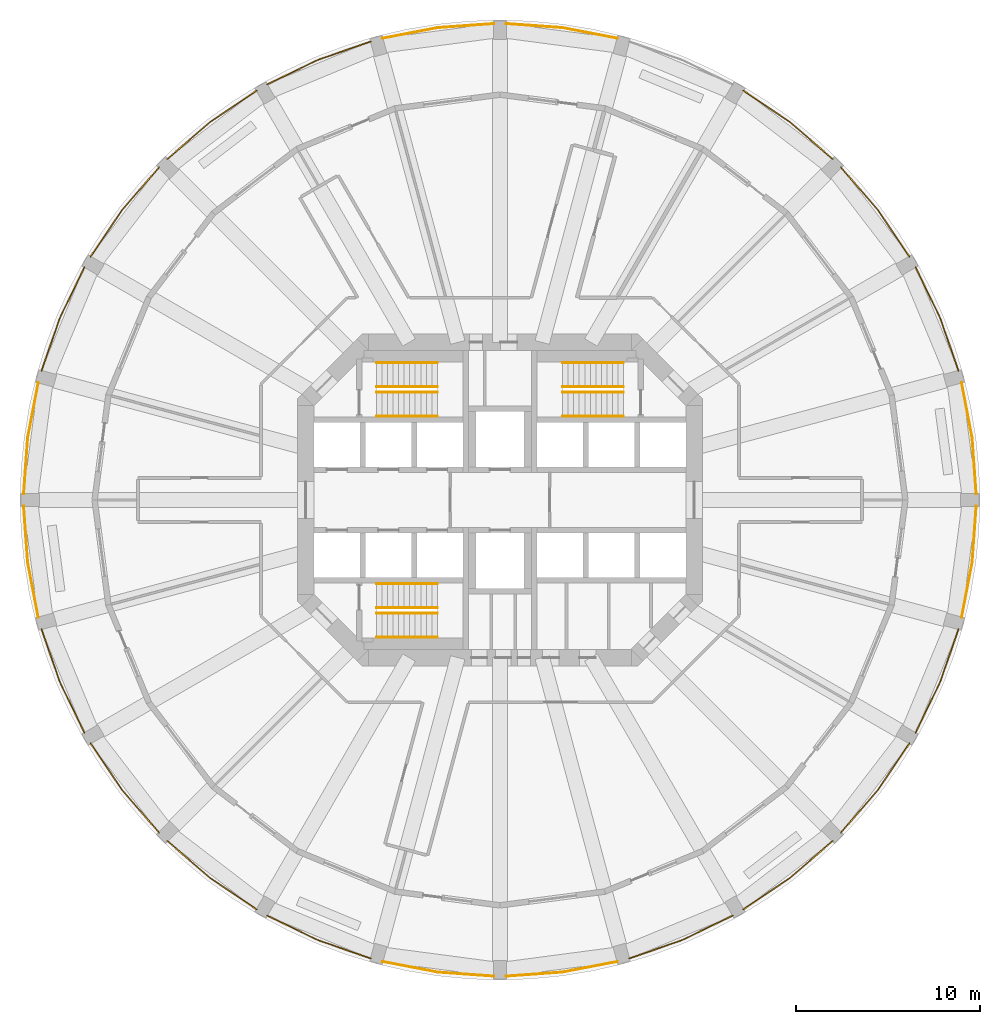
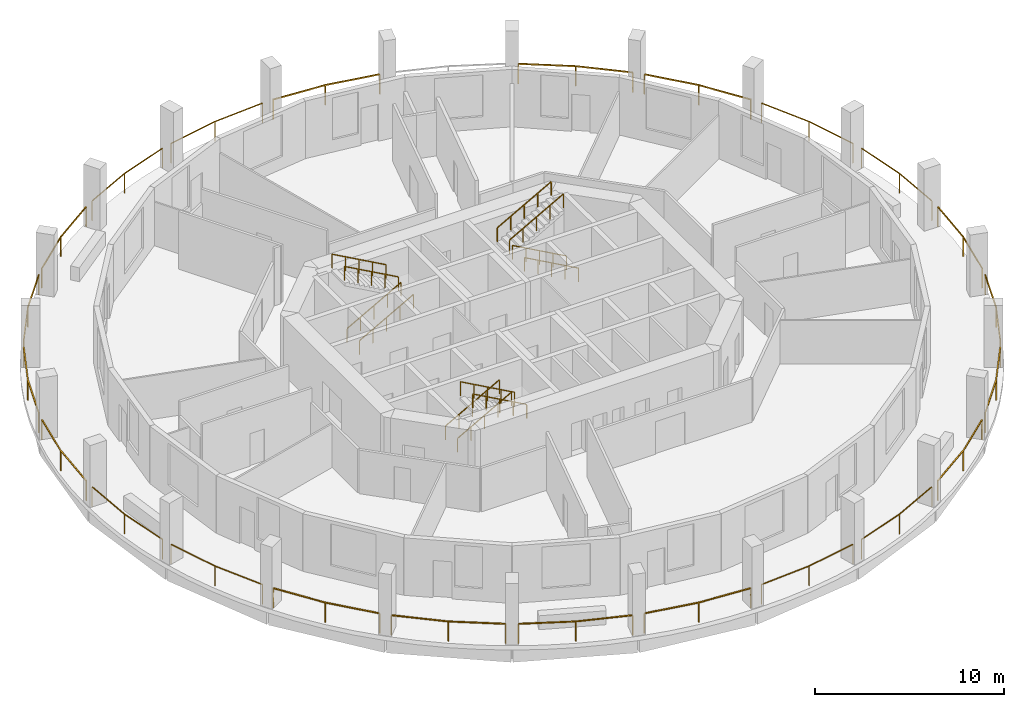
# One storey, part 8 of 9: 35 railings.
"""IFC4 building model written with IfcOpenShell, lengths in metres."""

from ifc_helpers import new_model, si_unit, direction, frame, origin, origin_2d, place, context, subcontext, project, spatial, rectangle, extrude, material, type_object, element, save


model = new_model("IFC4")

# Units and contexts
model_context = context("Model", 3, precision=1e-05, world=origin(), true_north=direction((0.0, 1.0)))
body_context = subcontext(model_context, "Body", "Model", "MODEL_VIEW")
ifc_project = project(units=[si_unit("LENGTHUNIT", "METRE"), si_unit("AREAUNIT", "SQUARE_METRE"), si_unit("VOLUMEUNIT", "CUBIC_METRE"), si_unit("PLANEANGLEUNIT", "RADIAN"), si_unit("MASSUNIT", "GRAM", prefix="KILO")], contexts=[model_context])

# Site, building, storey
site_placement = place(None, origin())
site = spatial("IfcSite", under=ifc_project, at=site_placement, CompositionType="ELEMENT")
building_placement = place(site_placement, origin())
building = spatial("IfcBuilding", under=site, at=building_placement, Name="Torre Triforio", CompositionType="ELEMENT")
storey_placement = place(building_placement, frame((0.0, 0.0, 106.60009765625)))
storey = spatial("IfcBuildingStorey", under=building, at=storey_placement, Name="L23", CompositionType="ELEMENT", Elevation=106.60009765625)

# Railings
ifc_material = material(Name="Stainless steel AISI 316", Category="steel")
railing_type_1 = type_object("IfcRailingType", Name="HANDRAIL 920", PredefinedType="HANDRAIL", material=ifc_material)
for number, where, name in (
    (1, (-6.699951171875, 4.550048828125, 0.16650390625), "Handrail ST1"),
    (2, (-6.699951171875, 5.85009765625, 0.16650390625), "Handrail ST1"),
):
    element("IfcRailing", number, at=place(storey_placement, frame(where)), inside=storey, type_object=railing_type_1, Name=name, PredefinedType="HANDRAIL", context=body_context, shape_type="SweptSolid", body=[
        extrude(rectangle(XDim=0.048095703125, YDim=0.048095703125, at=origin_2d()), frame((0.0, 0.0, 0.89599609375), z_axis=(0.874142023373, 0.0, 0.48567038511), x_axis=(0.0, 1.0, 0.0)), (0.0, 0.0, 1.0), 3.775146484375),
        extrude(rectangle(XDim=0.0419921875, YDim=0.0419921875, at=origin_2d()), origin(), (0.0, 0.0, 1.0), 0.871826171875),
        extrude(rectangle(XDim=0.0419921875, YDim=0.0419921875, at=origin_2d()), frame((0.824951171875, 0.0, 0.45849609375)), (0.0, 0.0, 1.0), 0.871826171875),
        extrude(rectangle(XDim=0.0419921875, YDim=0.0419921875, at=origin_2d()), frame((1.64990234375, 0.0, 0.916748046875)), (0.0, 0.0, 1.0), 0.871826171875),
        extrude(rectangle(XDim=0.0419921875, YDim=0.0419921875, at=origin_2d()), frame((2.47509765625, 0.0, 1.375)), (0.0, 0.0, 1.0), 0.871826171875),
        extrude(rectangle(XDim=0.0419921875, YDim=0.0419921875, at=origin_2d()), frame((3.300048828125, 0.0, 1.83349609375)), (0.0, 0.0, 1.0), 0.871826171875),
    ])
for number, where, name in (
    (3, (-3.39990234375, 7.449951171875, 2.16650390625), "Handrail ST1"),
    (4, (-3.39990234375, 6.14990234375, 2.16650390625), "Handrail ST1"),
    (5, (6.699951171875, 4.550048828125, 0.16650390625), "Handrail ST2"),
    (6, (6.699951171875, 5.85009765625, 0.16650390625), "Handrail ST2"),
):
    element("IfcRailing", number, at=place(storey_placement, frame(where)), inside=storey, type_object=railing_type_1, Name=name, PredefinedType="HANDRAIL", context=body_context, shape_type="SweptSolid", body=[
        extrude(rectangle(XDim=0.048095703125, YDim=0.048095703125, at=origin_2d()), frame((0.0, 0.0, 0.89599609375), z_axis=(-0.874142023373, 0.0, 0.48567038511), x_axis=(0.0, -1.0, 0.0)), (0.0, 0.0, 1.0), 3.775146484375),
        extrude(rectangle(XDim=0.0419921875, YDim=0.0419921875, at=origin_2d()), origin(), (0.0, 0.0, 1.0), 0.871826171875),
        extrude(rectangle(XDim=0.0419921875, YDim=0.0419921875, at=origin_2d()), frame((-0.824951171875, 0.0, 0.45849609375)), (0.0, 0.0, 1.0), 0.871826171875),
        extrude(rectangle(XDim=0.0419921875, YDim=0.0419921875, at=origin_2d()), frame((-1.64990234375, 0.0, 0.916748046875)), (0.0, 0.0, 1.0), 0.871826171875),
        extrude(rectangle(XDim=0.0419921875, YDim=0.0419921875, at=origin_2d()), frame((-2.47509765625, 0.0, 1.375)), (0.0, 0.0, 1.0), 0.871826171875),
        extrude(rectangle(XDim=0.0419921875, YDim=0.0419921875, at=origin_2d()), frame((-3.300048828125, 0.0, 1.83349609375)), (0.0, 0.0, 1.0), 0.871826171875),
    ])
for number, where, name in (
    (7, (3.39990234375, 7.449951171875, 2.16650390625), "Handrail ST2"),
    (8, (3.39990234375, 6.14990234375, 2.16650390625), "Handrail ST2"),
    (9, (-6.699951171875, -4.550048828125, 0.16650390625), "Handrail ST3"),
    (10, (-6.699951171875, -5.85009765625, 0.16650390625), "Handrail ST3"),
):
    element("IfcRailing", number, at=place(storey_placement, frame(where)), inside=storey, type_object=railing_type_1, Name=name, PredefinedType="HANDRAIL", context=body_context, shape_type="SweptSolid", body=[
        extrude(rectangle(XDim=0.048095703125, YDim=0.048095703125, at=origin_2d()), frame((0.0, 0.0, 0.89599609375), z_axis=(0.874142023373, 0.0, 0.48567038511), x_axis=(0.0, 1.0, 0.0)), (0.0, 0.0, 1.0), 3.775146484375),
        extrude(rectangle(XDim=0.0419921875, YDim=0.0419921875, at=origin_2d()), origin(), (0.0, 0.0, 1.0), 0.871826171875),
        extrude(rectangle(XDim=0.0419921875, YDim=0.0419921875, at=origin_2d()), frame((0.824951171875, 0.0, 0.45849609375)), (0.0, 0.0, 1.0), 0.871826171875),
        extrude(rectangle(XDim=0.0419921875, YDim=0.0419921875, at=origin_2d()), frame((1.64990234375, 0.0, 0.916748046875)), (0.0, 0.0, 1.0), 0.871826171875),
        extrude(rectangle(XDim=0.0419921875, YDim=0.0419921875, at=origin_2d()), frame((2.47509765625, 0.0, 1.375)), (0.0, 0.0, 1.0), 0.871826171875),
        extrude(rectangle(XDim=0.0419921875, YDim=0.0419921875, at=origin_2d()), frame((3.300048828125, 0.0, 1.83349609375)), (0.0, 0.0, 1.0), 0.871826171875),
    ])
for number, where, name in (
    (11, (-3.39990234375, -7.449951171875, 2.16650390625), "Handrail ST3"),
    (12, (-3.39990234375, -6.14990234375, 2.16650390625), "Handrail ST3"),
):
    element("IfcRailing", number, at=place(storey_placement, frame(where)), inside=storey, type_object=railing_type_1, Name=name, PredefinedType="HANDRAIL", context=body_context, shape_type="SweptSolid", body=[
        extrude(rectangle(XDim=0.048095703125, YDim=0.048095703125, at=origin_2d()), frame((0.0, 0.0, 0.89599609375), z_axis=(-0.874142023373, 0.0, 0.48567038511), x_axis=(0.0, -1.0, 0.0)), (0.0, 0.0, 1.0), 3.775146484375),
        extrude(rectangle(XDim=0.0419921875, YDim=0.0419921875, at=origin_2d()), origin(), (0.0, 0.0, 1.0), 0.871826171875),
        extrude(rectangle(XDim=0.0419921875, YDim=0.0419921875, at=origin_2d()), frame((-0.824951171875, 0.0, 0.45849609375)), (0.0, 0.0, 1.0), 0.871826171875),
        extrude(rectangle(XDim=0.0419921875, YDim=0.0419921875, at=origin_2d()), frame((-1.64990234375, 0.0, 0.916748046875)), (0.0, 0.0, 1.0), 0.871826171875),
        extrude(rectangle(XDim=0.0419921875, YDim=0.0419921875, at=origin_2d()), frame((-2.47509765625, 0.0, 1.375)), (0.0, 0.0, 1.0), 0.871826171875),
        extrude(rectangle(XDim=0.0419921875, YDim=0.0419921875, at=origin_2d()), frame((-3.300048828125, 0.0, 1.83349609375)), (0.0, 0.0, 1.0), 0.871826171875),
    ])
railing_type_2 = type_object("IfcRailingType", Name="Loggia guard 1300", PredefinedType="GUARDRAIL", material=ifc_material)
railing_1_placement = place(storey_placement, frame((25.85009765625, 0.320068359375, 0.0)))
element("IfcRailing", 13, at=railing_1_placement, inside=storey, type_object=railing_type_2, Name="Loggia guard L23 bay 01", PredefinedType="GUARDRAIL", context=body_context, shape_type="SweptSolid", body=[
    extrude(rectangle(XDim=0.050048828125, YDim=0.050048828125, at=origin_2d()), frame((0.0, 0.0, 1.27490234375), z_axis=(-0.072238625319, 0.997387377608, 0.0), x_axis=(-0.997387377608, -0.072238625319, 0.0)), (0.0, 0.0, 1.0), 3.06201171875),
    extrude(rectangle(XDim=0.050048828125, YDim=0.050048828125, at=origin_2d()), frame((-0.22119140625, 3.053955078125, 1.27490234375), z_axis=(-0.188397892972, 0.982092782747, 0.0), x_axis=(-0.982092782747, -0.188397892972, 0.0)), (0.0, 0.0, 1.0), 3.062255859375),
    extrude(rectangle(XDim=0.0400390625, YDim=0.0400390625, at=origin_2d()), origin(), (0.0, 0.0, 1.0), 1.25),
    extrude(rectangle(XDim=0.0400390625, YDim=0.0400390625, at=origin_2d()), frame((-0.22119140625, 3.053955078125, 0.0)), (0.0, 0.0, 1.0), 1.25),
    extrude(rectangle(XDim=0.0400390625, YDim=0.0400390625, at=origin_2d()), frame((-0.798095703125, 6.061279296875, 0.0)), (0.0, 0.0, 1.0), 1.25),
])
railing_2_placement = place(storey_placement, frame((24.886474609375, 6.99951171875, 0.0)))
element("IfcRailing", 14, at=railing_2_placement, inside=storey, type_object=railing_type_2, Name="Loggia guard L23 bay 02", PredefinedType="GUARDRAIL", context=body_context, shape_type="SweptSolid", body=[
    extrude(rectangle(XDim=0.050048828125, YDim=0.050048828125, at=origin_2d()), frame((0.0, 0.0, 1.27490234375), z_axis=(-0.327923737665, 0.944704198295, 0.0), x_axis=(-0.944704198295, -0.327923737665, 0.0)), (0.0, 0.0, 1.0), 3.062255859375),
    extrude(rectangle(XDim=0.050048828125, YDim=0.050048828125, at=origin_2d()), frame((-1.004150390625, 2.892822265625, 1.27490234375), z_axis=(-0.436113094806, 0.899891864914, 0.0), x_axis=(-0.899891864914, -0.436113094806, 0.0)), (0.0, 0.0, 1.0), 3.062255859375),
    extrude(rectangle(XDim=0.0400390625, YDim=0.0400390625, at=origin_2d()), origin(), (0.0, 0.0, 1.0), 1.25),
    extrude(rectangle(XDim=0.0400390625, YDim=0.0400390625, at=origin_2d()), frame((-1.004150390625, 2.892822265625, 0.0)), (0.0, 0.0, 1.0), 1.25),
    extrude(rectangle(XDim=0.0400390625, YDim=0.0400390625, at=origin_2d()), frame((-2.339599609375, 5.6484375, 0.0)), (0.0, 0.0, 1.0), 1.25),
])
railing_3_placement = place(storey_placement, frame((22.226806640625, 13.2021484375, 0.0)))
element("IfcRailing", 15, at=railing_3_placement, inside=storey, type_object=railing_type_2, Name="Loggia guard L23 bay 03", PredefinedType="GUARDRAIL", context=body_context, shape_type="SweptSolid", body=[
    extrude(rectangle(XDim=0.050048828125, YDim=0.050048828125, at=origin_2d()), frame((0.0, 0.0, 1.27490234375), z_axis=(-0.561214776852, 0.827670208624, 0.0), x_axis=(-0.827670208624, -0.561214776852, 0.0)), (0.0, 0.0, 1.0), 3.06201171875),
    extrude(rectangle(XDim=0.050048828125, YDim=0.050048828125, at=origin_2d()), frame((-1.718505859375, 2.534423828125, 1.27490234375), z_axis=(-0.654238218872, 0.75628853817, 0.0), x_axis=(-0.75628853817, -0.654238218872, 0.0)), (0.0, 0.0, 1.0), 3.062255859375),
    extrude(rectangle(XDim=0.0400390625, YDim=0.0400390625, at=origin_2d()), origin(), (0.0, 0.0, 1.0), 1.25),
    extrude(rectangle(XDim=0.0400390625, YDim=0.0400390625, at=origin_2d()), frame((-1.718505859375, 2.534423828125, 0.0)), (0.0, 0.0, 1.0), 1.25),
    extrude(rectangle(XDim=0.0400390625, YDim=0.0400390625, at=origin_2d()), frame((-3.721923828125, 4.850341796875, 0.0)), (0.0, 0.0, 1.0), 1.25),
])
railing_4_placement = place(storey_placement, frame((18.052490234375, 18.5048828125, 0.0)))
element("IfcRailing", 16, at=railing_4_placement, inside=storey, type_object=railing_type_2, Name="Loggia guard L23 bay 04", PredefinedType="GUARDRAIL", context=body_context, shape_type="SweptSolid", body=[
    extrude(rectangle(XDim=0.050048828125, YDim=0.050048828125, at=origin_2d()), frame((0.0, 0.0, 1.27490234375), z_axis=(-0.75628853817, 0.654238218872, 0.0), x_axis=(-0.654238218872, -0.75628853817, 0.0)), (0.0, 0.0, 1.0), 3.062255859375),
    extrude(rectangle(XDim=0.050048828125, YDim=0.050048828125, at=origin_2d()), frame((-2.31591796875, 2.00341796875, 1.27490234375), z_axis=(-0.827670208624, 0.561214776852, 0.0), x_axis=(-0.561214776852, -0.827670208624, 0.0)), (0.0, 0.0, 1.0), 3.06201171875),
    extrude(rectangle(XDim=0.0400390625, YDim=0.0400390625, at=origin_2d()), origin(), (0.0, 0.0, 1.0), 1.25),
    extrude(rectangle(XDim=0.0400390625, YDim=0.0400390625, at=origin_2d()), frame((-2.31591796875, 2.00341796875, 0.0)), (0.0, 0.0, 1.0), 1.25),
    extrude(rectangle(XDim=0.0400390625, YDim=0.0400390625, at=origin_2d()), frame((-4.850341796875, 3.721923828125, 0.0)), (0.0, 0.0, 1.0), 1.25),
])
railing_5_placement = place(storey_placement, frame((6.38134765625, 25.052001953125, 0.0)))
element("IfcRailing", 17, at=railing_5_placement, inside=storey, type_object=railing_type_2, Name="Loggia guard L23 bay 06", PredefinedType="GUARDRAIL", context=body_context, shape_type="SweptSolid", body=[
    extrude(rectangle(XDim=0.050048828125, YDim=0.050048828125, at=origin_2d()), frame((0.0, 0.0, 1.27490234375), z_axis=(-0.982092782747, 0.188397892972, 0.0), x_axis=(-0.188397892972, -0.982092782747, 0.0)), (0.0, 0.0, 1.0), 3.062255859375),
    extrude(rectangle(XDim=0.050048828125, YDim=0.050048828125, at=origin_2d()), frame((-3.00732421875, 0.576904296875, 1.27490234375), z_axis=(-0.997387377608, 0.072238625319, 0.0), x_axis=(-0.072238625319, -0.997387377608, 0.0)), (0.0, 0.0, 1.0), 3.06201171875),
    extrude(rectangle(XDim=0.0400390625, YDim=0.0400390625, at=origin_2d()), origin(), (0.0, 0.0, 1.0), 1.25),
    extrude(rectangle(XDim=0.0400390625, YDim=0.0400390625, at=origin_2d()), frame((-3.00732421875, 0.576904296875, 0.0)), (0.0, 0.0, 1.0), 1.25),
    extrude(rectangle(XDim=0.0400390625, YDim=0.0400390625, at=origin_2d()), frame((-6.061279296875, 0.798095703125, 0.0)), (0.0, 0.0, 1.0), 1.25),
])
railing_6_placement = place(storey_placement, frame((-0.320068359375, 25.85009765625, 0.0)))
element("IfcRailing", 18, at=railing_6_placement, inside=storey, type_object=railing_type_2, Name="Loggia guard L23 bay 07", PredefinedType="GUARDRAIL", context=body_context, shape_type="SweptSolid", body=[
    extrude(rectangle(XDim=0.050048828125, YDim=0.050048828125, at=origin_2d()), frame((0.0, 0.0, 1.27490234375), z_axis=(-0.997387377608, -0.072238625319, 0.0), x_axis=(0.072238625319, -0.997387377608, 0.0)), (0.0, 0.0, 1.0), 3.06201171875),
    extrude(rectangle(XDim=0.050048828125, YDim=0.050048828125, at=origin_2d()), frame((-3.053955078125, -0.22119140625, 1.27490234375), z_axis=(-0.982092782747, -0.188397892972, 0.0), x_axis=(0.188397892972, -0.982092782747, 0.0)), (0.0, 0.0, 1.0), 3.062255859375),
    extrude(rectangle(XDim=0.0400390625, YDim=0.0400390625, at=origin_2d()), origin(), (0.0, 0.0, 1.0), 1.25),
    extrude(rectangle(XDim=0.0400390625, YDim=0.0400390625, at=origin_2d()), frame((-3.053955078125, -0.22119140625, 0.0)), (0.0, 0.0, 1.0), 1.25),
    extrude(rectangle(XDim=0.0400390625, YDim=0.0400390625, at=origin_2d()), frame((-6.061279296875, -0.798095703125, 0.0)), (0.0, 0.0, 1.0), 1.25),
])
railing_7_placement = place(storey_placement, frame((-6.99951171875, 24.886474609375, 0.0)))
element("IfcRailing", 19, at=railing_7_placement, inside=storey, type_object=railing_type_2, Name="Loggia guard L23 bay 08", PredefinedType="GUARDRAIL", context=body_context, shape_type="SweptSolid", body=[
    extrude(rectangle(XDim=0.050048828125, YDim=0.050048828125, at=origin_2d()), frame((0.0, 0.0, 1.27490234375), z_axis=(-0.944704198295, -0.327923737665, 0.0), x_axis=(0.327923737665, -0.944704198295, 0.0)), (0.0, 0.0, 1.0), 3.062255859375),
    extrude(rectangle(XDim=0.050048828125, YDim=0.050048828125, at=origin_2d()), frame((-2.892822265625, -1.004150390625, 1.27490234375), z_axis=(-0.899891864914, -0.436113094806, 0.0), x_axis=(0.436113094806, -0.899891864914, 0.0)), (0.0, 0.0, 1.0), 3.062255859375),
    extrude(rectangle(XDim=0.0400390625, YDim=0.0400390625, at=origin_2d()), origin(), (0.0, 0.0, 1.0), 1.25),
    extrude(rectangle(XDim=0.0400390625, YDim=0.0400390625, at=origin_2d()), frame((-2.892822265625, -1.004150390625, 0.0)), (0.0, 0.0, 1.0), 1.25),
    extrude(rectangle(XDim=0.0400390625, YDim=0.0400390625, at=origin_2d()), frame((-5.6484375, -2.339599609375, 0.0)), (0.0, 0.0, 1.0), 1.25),
])
railing_8_placement = place(storey_placement, frame((-13.2021484375, 22.226806640625, 0.0)))
element("IfcRailing", 20, at=railing_8_placement, inside=storey, type_object=railing_type_2, Name="Loggia guard L23 bay 09", PredefinedType="GUARDRAIL", context=body_context, shape_type="SweptSolid", body=[
    extrude(rectangle(XDim=0.050048828125, YDim=0.050048828125, at=origin_2d()), frame((0.0, 0.0, 1.27490234375), z_axis=(-0.827670208624, -0.561214776852, 0.0), x_axis=(0.561214776852, -0.827670208624, 0.0)), (0.0, 0.0, 1.0), 3.06201171875),
    extrude(rectangle(XDim=0.050048828125, YDim=0.050048828125, at=origin_2d()), frame((-2.534423828125, -1.718505859375, 1.27490234375), z_axis=(-0.75628853817, -0.654238218872, 0.0), x_axis=(0.654238218872, -0.75628853817, 0.0)), (0.0, 0.0, 1.0), 3.062255859375),
    extrude(rectangle(XDim=0.0400390625, YDim=0.0400390625, at=origin_2d()), origin(), (0.0, 0.0, 1.0), 1.25),
    extrude(rectangle(XDim=0.0400390625, YDim=0.0400390625, at=origin_2d()), frame((-2.534423828125, -1.718505859375, 0.0)), (0.0, 0.0, 1.0), 1.25),
    extrude(rectangle(XDim=0.0400390625, YDim=0.0400390625, at=origin_2d()), frame((-4.850341796875, -3.721923828125, 0.0)), (0.0, 0.0, 1.0), 1.25),
])
railing_9_placement = place(storey_placement, frame((-18.5048828125, 18.052490234375, 0.0)))
element("IfcRailing", 21, at=railing_9_placement, inside=storey, type_object=railing_type_2, Name="Loggia guard L23 bay 10", PredefinedType="GUARDRAIL", context=body_context, shape_type="SweptSolid", body=[
    extrude(rectangle(XDim=0.050048828125, YDim=0.050048828125, at=origin_2d()), frame((0.0, 0.0, 1.27490234375), z_axis=(-0.654238218872, -0.75628853817, 0.0), x_axis=(0.75628853817, -0.654238218872, 0.0)), (0.0, 0.0, 1.0), 3.062255859375),
    extrude(rectangle(XDim=0.050048828125, YDim=0.050048828125, at=origin_2d()), frame((-2.00341796875, -2.31591796875, 1.27490234375), z_axis=(-0.561214776852, -0.827670208624, 0.0), x_axis=(0.827670208624, -0.561214776852, 0.0)), (0.0, 0.0, 1.0), 3.06201171875),
    extrude(rectangle(XDim=0.0400390625, YDim=0.0400390625, at=origin_2d()), origin(), (0.0, 0.0, 1.0), 1.25),
    extrude(rectangle(XDim=0.0400390625, YDim=0.0400390625, at=origin_2d()), frame((-2.00341796875, -2.31591796875, 0.0)), (0.0, 0.0, 1.0), 1.25),
    extrude(rectangle(XDim=0.0400390625, YDim=0.0400390625, at=origin_2d()), frame((-3.721923828125, -4.850341796875, 0.0)), (0.0, 0.0, 1.0), 1.25),
])
railing_10_placement = place(storey_placement, frame((-22.546875, 12.64794921875, 0.0)))
element("IfcRailing", 22, at=railing_10_placement, inside=storey, type_object=railing_type_2, Name="Loggia guard L23 bay 11", PredefinedType="GUARDRAIL", context=body_context, shape_type="SweptSolid", body=[
    extrude(rectangle(XDim=0.050048828125, YDim=0.050048828125, at=origin_2d()), frame((0.0, 0.0, 1.27490234375), z_axis=(-0.436113094806, -0.899891864914, 0.0), x_axis=(0.899891864914, -0.436113094806, 0.0)), (0.0, 0.0, 1.0), 3.062255859375),
    extrude(rectangle(XDim=0.050048828125, YDim=0.050048828125, at=origin_2d()), frame((-1.33544921875, -2.755615234375, 1.27490234375), z_axis=(-0.327923737665, -0.944704198295, 0.0), x_axis=(0.944704198295, -0.327923737665, 0.0)), (0.0, 0.0, 1.0), 3.062255859375),
    extrude(rectangle(XDim=0.0400390625, YDim=0.0400390625, at=origin_2d()), origin(), (0.0, 0.0, 1.0), 1.25),
    extrude(rectangle(XDim=0.0400390625, YDim=0.0400390625, at=origin_2d()), frame((-1.33544921875, -2.755615234375, 0.0)), (0.0, 0.0, 1.0), 1.25),
    extrude(rectangle(XDim=0.0400390625, YDim=0.0400390625, at=origin_2d()), frame((-2.339599609375, -5.6484375, 0.0)), (0.0, 0.0, 1.0), 1.25),
])
railing_11_placement = place(storey_placement, frame((-25.052001953125, 6.38134765625, 0.0)))
element("IfcRailing", 23, at=railing_11_placement, inside=storey, type_object=railing_type_2, Name="Loggia guard L23 bay 12", PredefinedType="GUARDRAIL", context=body_context, shape_type="SweptSolid", body=[
    extrude(rectangle(XDim=0.050048828125, YDim=0.050048828125, at=origin_2d()), frame((0.0, 0.0, 1.27490234375), z_axis=(-0.188397892972, -0.982092782747, 0.0), x_axis=(0.982092782747, -0.188397892972, 0.0)), (0.0, 0.0, 1.0), 3.062255859375),
    extrude(rectangle(XDim=0.050048828125, YDim=0.050048828125, at=origin_2d()), frame((-0.576904296875, -3.00732421875, 1.27490234375), z_axis=(-0.072238625319, -0.997387377608, 0.0), x_axis=(0.997387377608, -0.072238625319, 0.0)), (0.0, 0.0, 1.0), 3.06201171875),
    extrude(rectangle(XDim=0.0400390625, YDim=0.0400390625, at=origin_2d()), origin(), (0.0, 0.0, 1.0), 1.25),
    extrude(rectangle(XDim=0.0400390625, YDim=0.0400390625, at=origin_2d()), frame((-0.576904296875, -3.00732421875, 0.0)), (0.0, 0.0, 1.0), 1.25),
    extrude(rectangle(XDim=0.0400390625, YDim=0.0400390625, at=origin_2d()), frame((-0.798095703125, -6.061279296875, 0.0)), (0.0, 0.0, 1.0), 1.25),
])
railing_12_placement = place(storey_placement, frame((-25.85009765625, -0.320068359375, 0.0)))
element("IfcRailing", 24, at=railing_12_placement, inside=storey, type_object=railing_type_2, Name="Loggia guard L23 bay 13", PredefinedType="GUARDRAIL", context=body_context, shape_type="SweptSolid", body=[
    extrude(rectangle(XDim=0.050048828125, YDim=0.050048828125, at=origin_2d()), frame((0.0, 0.0, 1.27490234375), z_axis=(0.072238625319, -0.997387377608, 0.0), x_axis=(0.997387377608, 0.072238625319, 0.0)), (0.0, 0.0, 1.0), 3.06201171875),
    extrude(rectangle(XDim=0.050048828125, YDim=0.050048828125, at=origin_2d()), frame((0.22119140625, -3.053955078125, 1.27490234375), z_axis=(0.188397892972, -0.982092782747, 0.0), x_axis=(0.982092782747, 0.188397892972, 0.0)), (0.0, 0.0, 1.0), 3.062255859375),
    extrude(rectangle(XDim=0.0400390625, YDim=0.0400390625, at=origin_2d()), origin(), (0.0, 0.0, 1.0), 1.25),
    extrude(rectangle(XDim=0.0400390625, YDim=0.0400390625, at=origin_2d()), frame((0.22119140625, -3.053955078125, 0.0)), (0.0, 0.0, 1.0), 1.25),
    extrude(rectangle(XDim=0.0400390625, YDim=0.0400390625, at=origin_2d()), frame((0.798095703125, -6.061279296875, 0.0)), (0.0, 0.0, 1.0), 1.25),
])
railing_13_placement = place(storey_placement, frame((-24.886474609375, -6.99951171875, 0.0)))
element("IfcRailing", 25, at=railing_13_placement, inside=storey, type_object=railing_type_2, Name="Loggia guard L23 bay 14", PredefinedType="GUARDRAIL", context=body_context, shape_type="SweptSolid", body=[
    extrude(rectangle(XDim=0.050048828125, YDim=0.050048828125, at=origin_2d()), frame((0.0, 0.0, 1.27490234375), z_axis=(0.327923737665, -0.944704198295, 0.0), x_axis=(0.944704198295, 0.327923737665, 0.0)), (0.0, 0.0, 1.0), 3.062255859375),
    extrude(rectangle(XDim=0.050048828125, YDim=0.050048828125, at=origin_2d()), frame((1.004150390625, -2.892822265625, 1.27490234375), z_axis=(0.436113094806, -0.899891864914, 0.0), x_axis=(0.899891864914, 0.436113094806, 0.0)), (0.0, 0.0, 1.0), 3.062255859375),
    extrude(rectangle(XDim=0.0400390625, YDim=0.0400390625, at=origin_2d()), origin(), (0.0, 0.0, 1.0), 1.25),
    extrude(rectangle(XDim=0.0400390625, YDim=0.0400390625, at=origin_2d()), frame((1.004150390625, -2.892822265625, 0.0)), (0.0, 0.0, 1.0), 1.25),
    extrude(rectangle(XDim=0.0400390625, YDim=0.0400390625, at=origin_2d()), frame((2.339599609375, -5.6484375, 0.0)), (0.0, 0.0, 1.0), 1.25),
])
railing_14_placement = place(storey_placement, frame((-22.226806640625, -13.2021484375, 0.0)))
element("IfcRailing", 26, at=railing_14_placement, inside=storey, type_object=railing_type_2, Name="Loggia guard L23 bay 15", PredefinedType="GUARDRAIL", context=body_context, shape_type="SweptSolid", body=[
    extrude(rectangle(XDim=0.050048828125, YDim=0.050048828125, at=origin_2d()), frame((0.0, 0.0, 1.27490234375), z_axis=(0.561214776852, -0.827670208624, 0.0), x_axis=(0.827670208624, 0.561214776852, 0.0)), (0.0, 0.0, 1.0), 3.06201171875),
    extrude(rectangle(XDim=0.050048828125, YDim=0.050048828125, at=origin_2d()), frame((1.718505859375, -2.534423828125, 1.27490234375), z_axis=(0.654238218872, -0.75628853817, 0.0), x_axis=(0.75628853817, 0.654238218872, 0.0)), (0.0, 0.0, 1.0), 3.062255859375),
    extrude(rectangle(XDim=0.0400390625, YDim=0.0400390625, at=origin_2d()), origin(), (0.0, 0.0, 1.0), 1.25),
    extrude(rectangle(XDim=0.0400390625, YDim=0.0400390625, at=origin_2d()), frame((1.718505859375, -2.534423828125, 0.0)), (0.0, 0.0, 1.0), 1.25),
    extrude(rectangle(XDim=0.0400390625, YDim=0.0400390625, at=origin_2d()), frame((3.721923828125, -4.850341796875, 0.0)), (0.0, 0.0, 1.0), 1.25),
])
railing_15_placement = place(storey_placement, frame((-18.052490234375, -18.5048828125, 0.0)))
element("IfcRailing", 27, at=railing_15_placement, inside=storey, type_object=railing_type_2, Name="Loggia guard L23 bay 16", PredefinedType="GUARDRAIL", context=body_context, shape_type="SweptSolid", body=[
    extrude(rectangle(XDim=0.050048828125, YDim=0.050048828125, at=origin_2d()), frame((0.0, 0.0, 1.27490234375), z_axis=(0.75628853817, -0.654238218872, 0.0), x_axis=(0.654238218872, 0.75628853817, 0.0)), (0.0, 0.0, 1.0), 3.062255859375),
    extrude(rectangle(XDim=0.050048828125, YDim=0.050048828125, at=origin_2d()), frame((2.31591796875, -2.00341796875, 1.27490234375), z_axis=(0.827670208624, -0.561214776852, 0.0), x_axis=(0.561214776852, 0.827670208624, 0.0)), (0.0, 0.0, 1.0), 3.06201171875),
    extrude(rectangle(XDim=0.0400390625, YDim=0.0400390625, at=origin_2d()), origin(), (0.0, 0.0, 1.0), 1.25),
    extrude(rectangle(XDim=0.0400390625, YDim=0.0400390625, at=origin_2d()), frame((2.31591796875, -2.00341796875, 0.0)), (0.0, 0.0, 1.0), 1.25),
    extrude(rectangle(XDim=0.0400390625, YDim=0.0400390625, at=origin_2d()), frame((4.850341796875, -3.721923828125, 0.0)), (0.0, 0.0, 1.0), 1.25),
])
railing_16_placement = place(storey_placement, frame((-12.64794921875, -22.546875, 0.0)))
element("IfcRailing", 28, at=railing_16_placement, inside=storey, type_object=railing_type_2, Name="Loggia guard L23 bay 17", PredefinedType="GUARDRAIL", context=body_context, shape_type="SweptSolid", body=[
    extrude(rectangle(XDim=0.050048828125, YDim=0.050048828125, at=origin_2d()), frame((0.0, 0.0, 1.27490234375), z_axis=(0.899891864914, -0.436113094806, 0.0), x_axis=(0.436113094806, 0.899891864914, 0.0)), (0.0, 0.0, 1.0), 3.062255859375),
    extrude(rectangle(XDim=0.050048828125, YDim=0.050048828125, at=origin_2d()), frame((2.755615234375, -1.33544921875, 1.27490234375), z_axis=(0.944704198295, -0.327923737665, 0.0), x_axis=(0.327923737665, 0.944704198295, 0.0)), (0.0, 0.0, 1.0), 3.062255859375),
    extrude(rectangle(XDim=0.0400390625, YDim=0.0400390625, at=origin_2d()), origin(), (0.0, 0.0, 1.0), 1.25),
    extrude(rectangle(XDim=0.0400390625, YDim=0.0400390625, at=origin_2d()), frame((2.755615234375, -1.33544921875, 0.0)), (0.0, 0.0, 1.0), 1.25),
    extrude(rectangle(XDim=0.0400390625, YDim=0.0400390625, at=origin_2d()), frame((5.6484375, -2.339599609375, 0.0)), (0.0, 0.0, 1.0), 1.25),
])
railing_17_placement = place(storey_placement, frame((-6.38134765625, -25.052001953125, 0.0)))
element("IfcRailing", 29, at=railing_17_placement, inside=storey, type_object=railing_type_2, Name="Loggia guard L23 bay 18", PredefinedType="GUARDRAIL", context=body_context, shape_type="SweptSolid", body=[
    extrude(rectangle(XDim=0.050048828125, YDim=0.050048828125, at=origin_2d()), frame((0.0, 0.0, 1.27490234375), z_axis=(0.982092782747, -0.188397892972, 0.0), x_axis=(0.188397892972, 0.982092782747, 0.0)), (0.0, 0.0, 1.0), 3.062255859375),
    extrude(rectangle(XDim=0.050048828125, YDim=0.050048828125, at=origin_2d()), frame((3.00732421875, -0.576904296875, 1.27490234375), z_axis=(0.997387377608, -0.072238625319, 0.0), x_axis=(0.072238625319, 0.997387377608, 0.0)), (0.0, 0.0, 1.0), 3.06201171875),
    extrude(rectangle(XDim=0.0400390625, YDim=0.0400390625, at=origin_2d()), origin(), (0.0, 0.0, 1.0), 1.25),
    extrude(rectangle(XDim=0.0400390625, YDim=0.0400390625, at=origin_2d()), frame((3.00732421875, -0.576904296875, 0.0)), (0.0, 0.0, 1.0), 1.25),
    extrude(rectangle(XDim=0.0400390625, YDim=0.0400390625, at=origin_2d()), frame((6.061279296875, -0.798095703125, 0.0)), (0.0, 0.0, 1.0), 1.25),
])
railing_18_placement = place(storey_placement, frame((0.320068359375, -25.85009765625, 0.0)))
element("IfcRailing", 30, at=railing_18_placement, inside=storey, type_object=railing_type_2, Name="Loggia guard L23 bay 19", PredefinedType="GUARDRAIL", context=body_context, shape_type="SweptSolid", body=[
    extrude(rectangle(XDim=0.050048828125, YDim=0.050048828125, at=origin_2d()), frame((0.0, 0.0, 1.27490234375), z_axis=(0.997387377608, 0.072238625319, 0.0), x_axis=(-0.072238625319, 0.997387377608, 0.0)), (0.0, 0.0, 1.0), 3.06201171875),
    extrude(rectangle(XDim=0.050048828125, YDim=0.050048828125, at=origin_2d()), frame((3.053955078125, 0.22119140625, 1.27490234375), z_axis=(0.982092782747, 0.188397892972, 0.0), x_axis=(-0.188397892972, 0.982092782747, 0.0)), (0.0, 0.0, 1.0), 3.062255859375),
    extrude(rectangle(XDim=0.0400390625, YDim=0.0400390625, at=origin_2d()), origin(), (0.0, 0.0, 1.0), 1.25),
    extrude(rectangle(XDim=0.0400390625, YDim=0.0400390625, at=origin_2d()), frame((3.053955078125, 0.22119140625, 0.0)), (0.0, 0.0, 1.0), 1.25),
    extrude(rectangle(XDim=0.0400390625, YDim=0.0400390625, at=origin_2d()), frame((6.061279296875, 0.798095703125, 0.0)), (0.0, 0.0, 1.0), 1.25),
])
railing_19_placement = place(storey_placement, frame((6.99951171875, -24.886474609375, 0.0)))
element("IfcRailing", 31, at=railing_19_placement, inside=storey, type_object=railing_type_2, Name="Loggia guard L23 bay 20", PredefinedType="GUARDRAIL", context=body_context, shape_type="SweptSolid", body=[
    extrude(rectangle(XDim=0.050048828125, YDim=0.050048828125, at=origin_2d()), frame((0.0, 0.0, 1.27490234375), z_axis=(0.944704198295, 0.327923737665, 0.0), x_axis=(-0.327923737665, 0.944704198295, 0.0)), (0.0, 0.0, 1.0), 3.062255859375),
    extrude(rectangle(XDim=0.050048828125, YDim=0.050048828125, at=origin_2d()), frame((2.892822265625, 1.004150390625, 1.27490234375), z_axis=(0.899891864914, 0.436113094806, 0.0), x_axis=(-0.436113094806, 0.899891864914, 0.0)), (0.0, 0.0, 1.0), 3.062255859375),
    extrude(rectangle(XDim=0.0400390625, YDim=0.0400390625, at=origin_2d()), origin(), (0.0, 0.0, 1.0), 1.25),
    extrude(rectangle(XDim=0.0400390625, YDim=0.0400390625, at=origin_2d()), frame((2.892822265625, 1.004150390625, 0.0)), (0.0, 0.0, 1.0), 1.25),
    extrude(rectangle(XDim=0.0400390625, YDim=0.0400390625, at=origin_2d()), frame((5.6484375, 2.339599609375, 0.0)), (0.0, 0.0, 1.0), 1.25),
])
railing_20_placement = place(storey_placement, frame((13.2021484375, -22.226806640625, 0.0)))
element("IfcRailing", 32, at=railing_20_placement, inside=storey, type_object=railing_type_2, Name="Loggia guard L23 bay 21", PredefinedType="GUARDRAIL", context=body_context, shape_type="SweptSolid", body=[
    extrude(rectangle(XDim=0.050048828125, YDim=0.050048828125, at=origin_2d()), frame((0.0, 0.0, 1.27490234375), z_axis=(0.827670208624, 0.561214776852, 0.0), x_axis=(-0.561214776852, 0.827670208624, 0.0)), (0.0, 0.0, 1.0), 3.06201171875),
    extrude(rectangle(XDim=0.050048828125, YDim=0.050048828125, at=origin_2d()), frame((2.534423828125, 1.718505859375, 1.27490234375), z_axis=(0.75628853817, 0.654238218872, 0.0), x_axis=(-0.654238218872, 0.75628853817, 0.0)), (0.0, 0.0, 1.0), 3.062255859375),
    extrude(rectangle(XDim=0.0400390625, YDim=0.0400390625, at=origin_2d()), origin(), (0.0, 0.0, 1.0), 1.25),
    extrude(rectangle(XDim=0.0400390625, YDim=0.0400390625, at=origin_2d()), frame((2.534423828125, 1.718505859375, 0.0)), (0.0, 0.0, 1.0), 1.25),
    extrude(rectangle(XDim=0.0400390625, YDim=0.0400390625, at=origin_2d()), frame((4.850341796875, 3.721923828125, 0.0)), (0.0, 0.0, 1.0), 1.25),
])
railing_21_placement = place(storey_placement, frame((18.5048828125, -18.052490234375, 0.0)))
element("IfcRailing", 33, at=railing_21_placement, inside=storey, type_object=railing_type_2, Name="Loggia guard L23 bay 22", PredefinedType="GUARDRAIL", context=body_context, shape_type="SweptSolid", body=[
    extrude(rectangle(XDim=0.050048828125, YDim=0.050048828125, at=origin_2d()), frame((0.0, 0.0, 1.27490234375), z_axis=(0.654238218872, 0.75628853817, 0.0), x_axis=(-0.75628853817, 0.654238218872, 0.0)), (0.0, 0.0, 1.0), 3.062255859375),
    extrude(rectangle(XDim=0.050048828125, YDim=0.050048828125, at=origin_2d()), frame((2.00341796875, 2.31591796875, 1.27490234375), z_axis=(0.561214776852, 0.827670208624, 0.0), x_axis=(-0.827670208624, 0.561214776852, 0.0)), (0.0, 0.0, 1.0), 3.06201171875),
    extrude(rectangle(XDim=0.0400390625, YDim=0.0400390625, at=origin_2d()), origin(), (0.0, 0.0, 1.0), 1.25),
    extrude(rectangle(XDim=0.0400390625, YDim=0.0400390625, at=origin_2d()), frame((2.00341796875, 2.31591796875, 0.0)), (0.0, 0.0, 1.0), 1.25),
    extrude(rectangle(XDim=0.0400390625, YDim=0.0400390625, at=origin_2d()), frame((3.721923828125, 4.850341796875, 0.0)), (0.0, 0.0, 1.0), 1.25),
])
railing_22_placement = place(storey_placement, frame((22.546875, -12.64794921875, 0.0)))
element("IfcRailing", 34, at=railing_22_placement, inside=storey, type_object=railing_type_2, Name="Loggia guard L23 bay 23", PredefinedType="GUARDRAIL", context=body_context, shape_type="SweptSolid", body=[
    extrude(rectangle(XDim=0.050048828125, YDim=0.050048828125, at=origin_2d()), frame((0.0, 0.0, 1.27490234375), z_axis=(0.436113094806, 0.899891864914, 0.0), x_axis=(-0.899891864914, 0.436113094806, 0.0)), (0.0, 0.0, 1.0), 3.062255859375),
    extrude(rectangle(XDim=0.050048828125, YDim=0.050048828125, at=origin_2d()), frame((1.33544921875, 2.755615234375, 1.27490234375), z_axis=(0.327923737665, 0.944704198295, 0.0), x_axis=(-0.944704198295, 0.327923737665, 0.0)), (0.0, 0.0, 1.0), 3.062255859375),
    extrude(rectangle(XDim=0.0400390625, YDim=0.0400390625, at=origin_2d()), origin(), (0.0, 0.0, 1.0), 1.25),
    extrude(rectangle(XDim=0.0400390625, YDim=0.0400390625, at=origin_2d()), frame((1.33544921875, 2.755615234375, 0.0)), (0.0, 0.0, 1.0), 1.25),
    extrude(rectangle(XDim=0.0400390625, YDim=0.0400390625, at=origin_2d()), frame((2.339599609375, 5.6484375, 0.0)), (0.0, 0.0, 1.0), 1.25),
])
railing_23_placement = place(storey_placement, frame((25.052001953125, -6.38134765625, 0.0)))
element("IfcRailing", 35, at=railing_23_placement, inside=storey, type_object=railing_type_2, Name="Loggia guard L23 bay 24", PredefinedType="GUARDRAIL", context=body_context, shape_type="SweptSolid", body=[
    extrude(rectangle(XDim=0.050048828125, YDim=0.050048828125, at=origin_2d()), frame((0.0, 0.0, 1.27490234375), z_axis=(0.188397892972, 0.982092782747, 0.0), x_axis=(-0.982092782747, 0.188397892972, 0.0)), (0.0, 0.0, 1.0), 3.062255859375),
    extrude(rectangle(XDim=0.050048828125, YDim=0.050048828125, at=origin_2d()), frame((0.576904296875, 3.00732421875, 1.27490234375), z_axis=(0.072238625319, 0.997387377608, 0.0), x_axis=(-0.997387377608, 0.072238625319, 0.0)), (0.0, 0.0, 1.0), 3.06201171875),
    extrude(rectangle(XDim=0.0400390625, YDim=0.0400390625, at=origin_2d()), origin(), (0.0, 0.0, 1.0), 1.25),
    extrude(rectangle(XDim=0.0400390625, YDim=0.0400390625, at=origin_2d()), frame((0.576904296875, 3.00732421875, 0.0)), (0.0, 0.0, 1.0), 1.25),
    extrude(rectangle(XDim=0.0400390625, YDim=0.0400390625, at=origin_2d()), frame((0.798095703125, 6.061279296875, 0.0)), (0.0, 0.0, 1.0), 1.25),
])

save(model, "model.ifc")
